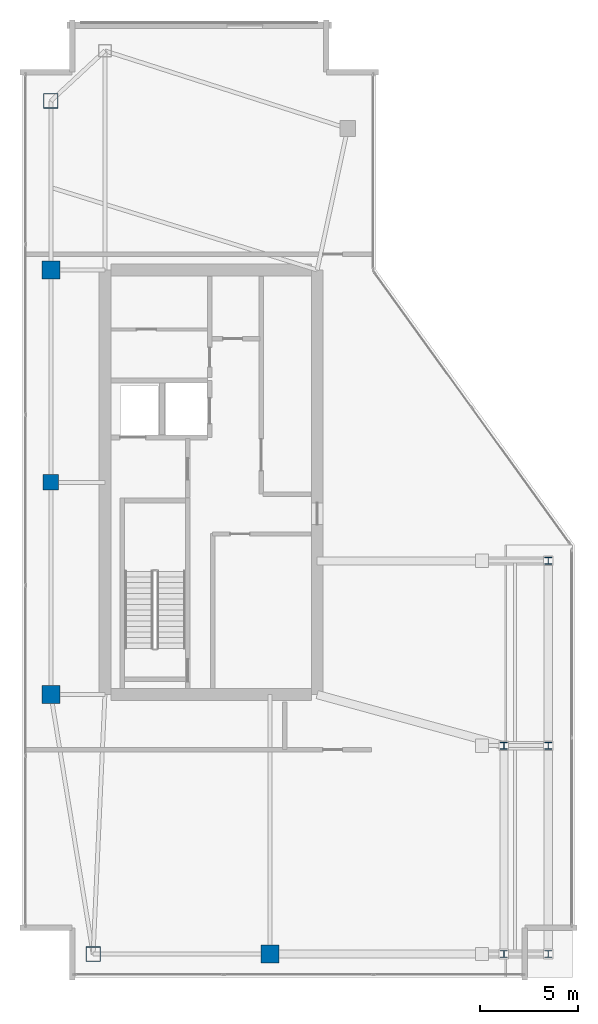
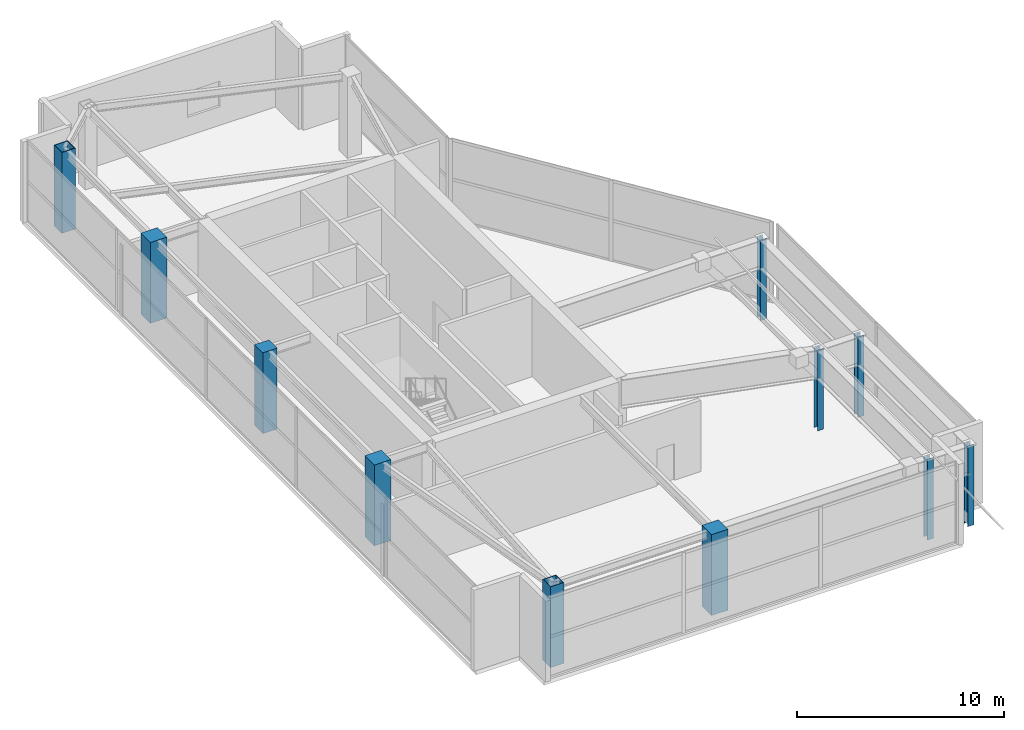
# One storey, part 1 of 21: 11 columns.
"""IFC4 building model written with IfcOpenShell, lengths in metres."""

from ifc_helpers import new_model, si_unit, direction, frame, origin, origin_2d, place, context, subcontext, project, spatial, rectangle, hollow_rectangle, i_section, extrude, material, material_profile, profile_set, type_object, element, save


model = new_model("IFC4")

# Units and contexts
model_context = context("Model", 3, precision=1e-05, world=origin(), true_north=direction((0.0, 1.0)))
body_context = subcontext(model_context, "Body", "Model", "MODEL_VIEW")
ifc_project = project(units=[si_unit("LENGTHUNIT", "METRE"), si_unit("AREAUNIT", "SQUARE_METRE"), si_unit("VOLUMEUNIT", "CUBIC_METRE"), si_unit("PLANEANGLEUNIT", "RADIAN"), si_unit("MASSUNIT", "GRAM", prefix="KILO")], contexts=[model_context])

# Site, building, storey
site_placement = place(None, origin())
site = spatial("IfcSite", under=ifc_project, at=site_placement, CompositionType="ELEMENT")
building_placement = place(site_placement, origin())
building = spatial("IfcBuilding", under=site, at=building_placement, Name="Calvorn Quay Hotel", CompositionType="ELEMENT")
storey_placement = place(building_placement, frame((0.0, 0.0, 330.5)))
storey = spatial("IfcBuildingStorey", under=building, at=storey_placement, Name="L81", CompositionType="ELEMENT", Elevation=330.5)

# Columns
ifc_material_1 = material(Name="Concrete C45", Category="concrete")
ifc_material_profile_1 = material_profile(ifc_material_1, rectangle(XDim=0.800048828125, YDim=0.800048828125, at=origin_2d()), Name="RC800x800")
ifc_profile_set_1 = profile_set([ifc_material_profile_1], Name="Concrete C45")
column_type_1 = type_object("IfcColumnType", Name="COL-RC-800", PredefinedType="COLUMN", material=ifc_profile_set_1)
column_placement = place(storey_placement, frame((1.449951171875, 27.60009765625, 0.0), z_axis=(0.0, 0.0, 1.0), x_axis=(1.0, 0.0, 0.0)))
element("IfcColumn", 1, at=column_placement, inside=storey, type_object=column_type_1, Name="Column C-W3 (L81)", PredefinedType="COLUMN", context=body_context, shape_type="SweptSolid", body=[
    extrude(rectangle(XDim=0.800048828125, YDim=0.800048828125, at=origin_2d()), origin(), (0.0, 0.0, 1.0), 4.760009765625),
])
ifc_material_2 = material(Name="Concrete C45", Category="concrete")
ifc_material_profile_2 = material_profile(ifc_material_2, rectangle(XDim=0.919921875, YDim=0.919921875, at=origin_2d()), Name="RC920x920")
ifc_profile_set_2 = profile_set([ifc_material_profile_2], Name="Concrete C45")
column_type_2 = type_object("IfcColumnType", Name="COL-RC-920", PredefinedType="COLUMN", material=ifc_profile_set_2)
for number, where, z_axis, x_axis, name in (
    (2, (1.449951171875, 16.800048828125, 0.0), (0.0, 0.0, 1.0), (1.0, 0.0, 0.0), "Column C-W2 (L81)"),
    (3, (1.449951171875, 38.39990234375, 0.0), (0.0, 0.0, 1.0), (1.0, 0.0, 0.0), "Column C-W4 (L81)"),
    (4, (12.60009765625, 3.60009765625, 0.0), (0.0, 0.0, 1.0), (1.0, 0.0, 0.0), "Column C-S1 (L81)"),
):
    element("IfcColumn", number, at=place(storey_placement, frame(where, z_axis=z_axis, x_axis=x_axis)), inside=storey, type_object=column_type_2, Name=name, PredefinedType="COLUMN", context=body_context, shape_type="SweptSolid", body=[
        extrude(rectangle(XDim=0.919921875, YDim=0.919921875, at=origin_2d()), origin(), (0.0, 0.0, 1.0), 4.760009765625),
    ])
ifc_material_3 = material(Name="Steel Q390GJC", Category="steel")
ifc_material_profile_3 = material_profile(ifc_material_3, i_section(OverallWidth=0.35009765625, OverallDepth=0.35009765625, WebThickness=0.011962890625, FlangeThickness=0.01904296875, FilletRadius=0.01806640625, at=origin_2d()), Name="HW350x350x12x19")
ifc_profile_set_3 = profile_set([ifc_material_profile_3], Name="Steel Q390GJC")
column_type_3 = type_object("IfcColumnType", Name="COL-STL-CRN", PredefinedType="COLUMN", material=ifc_profile_set_3)
for number, where, z_axis, x_axis, name in (
    (5, (26.75, 3.60009765625, 0.0), (0.0, 0.0, 1.0), (1.0, 0.0, 0.0), "Column C-CR1 (L81)"),
    (6, (26.75, 14.199951171875, 0.0), (0.0, 0.0, 1.0), (1.0, 0.0, 0.0), "Column C-CR2 (L81)"),
    (7, (26.75, 23.60009765625, 0.0), (0.0, 0.0, 1.0), (1.0, 0.0, 0.0), "Column C-CR3 (L81)"),
    (8, (24.5, 3.60009765625, 0.0), (0.0, 0.0, 1.0), (1.0, 0.0, 0.0), "Column C-CRM1 (L81)"),
    (9, (24.5, 14.199951171875, 0.0), (0.0, 0.0, 1.0), (1.0, 0.0, 0.0), "Column C-CRM2 (L81)"),
):
    element("IfcColumn", number, at=place(storey_placement, frame(where, z_axis=z_axis, x_axis=x_axis)), inside=storey, type_object=column_type_3, Name=name, PredefinedType="COLUMN", context=body_context, shape_type="SweptSolid", body=[
        extrude(i_section(OverallWidth=0.35009765625, OverallDepth=0.35009765625, WebThickness=0.011962890625, FlangeThickness=0.01904296875, FilletRadius=0.01806640625, at=origin_2d()), origin(), (0.0, 0.0, 1.0), 4.760009765625),
    ])
ifc_material_4 = material(Name="Steel Q390GJC", Category="steel")
ifc_material_profile_4 = material_profile(ifc_material_4, hollow_rectangle(XDim=0.75, YDim=0.75, WallThickness=0.031982421875, at=origin_2d()), Name="BOX750x750x32")
ifc_profile_set_4 = profile_set([ifc_material_profile_4], Name="Steel Q390GJC")
column_type_4 = type_object("IfcColumnType", Name="COL-STL-Z3", PredefinedType="COLUMN", material=ifc_profile_set_4)
for number, where, z_axis, x_axis, name in (
    (10, (3.60009765625, 3.60009765625, 0.0), (0.0, 0.0, 1.0), (1.0, 0.0, 0.0), "Column C-W1 (L81)"),
    (11, (1.449951171875, 47.0, 0.0), (0.0, 0.0, 1.0), (1.0, 0.0, 0.0), "Column C-W5 (L81)"),
):
    element("IfcColumn", number, at=place(storey_placement, frame(where, z_axis=z_axis, x_axis=x_axis)), inside=storey, type_object=column_type_4, Name=name, PredefinedType="COLUMN", context=body_context, shape_type="SweptSolid", body=[
        extrude(hollow_rectangle(XDim=0.75, YDim=0.75, WallThickness=0.031982421875, at=origin_2d()), origin(), (0.0, 0.0, 1.0), 4.760009765625),
    ])

save(model, "model.ifc")
